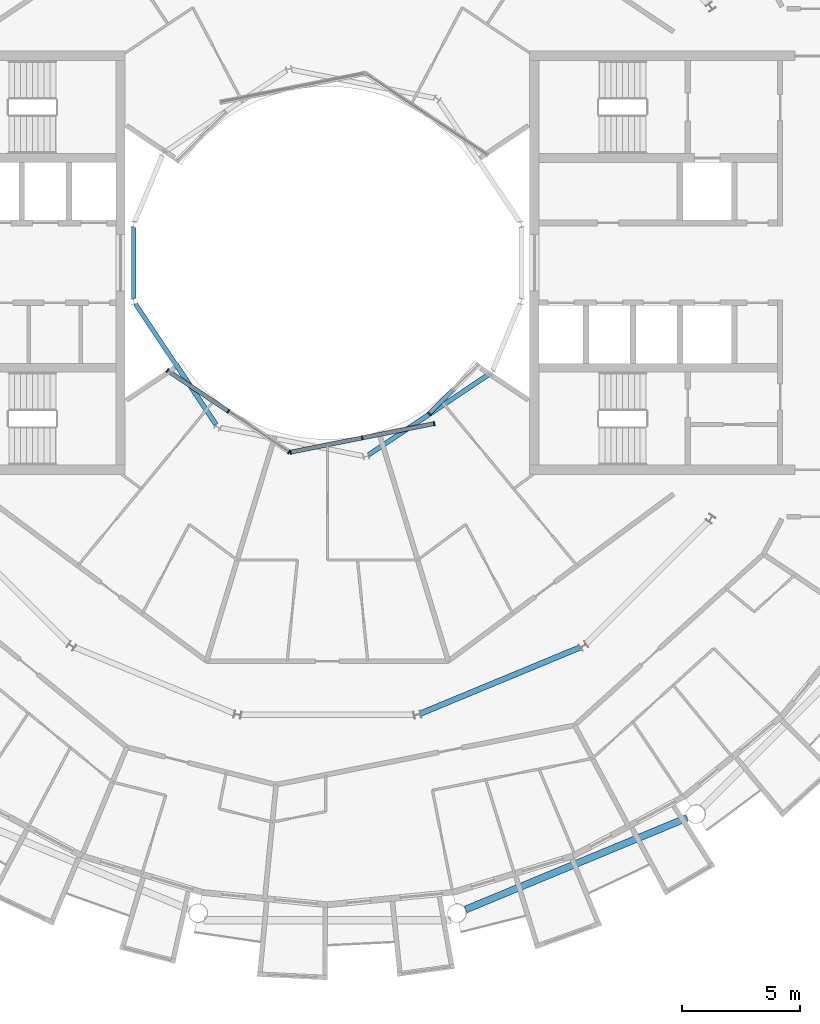
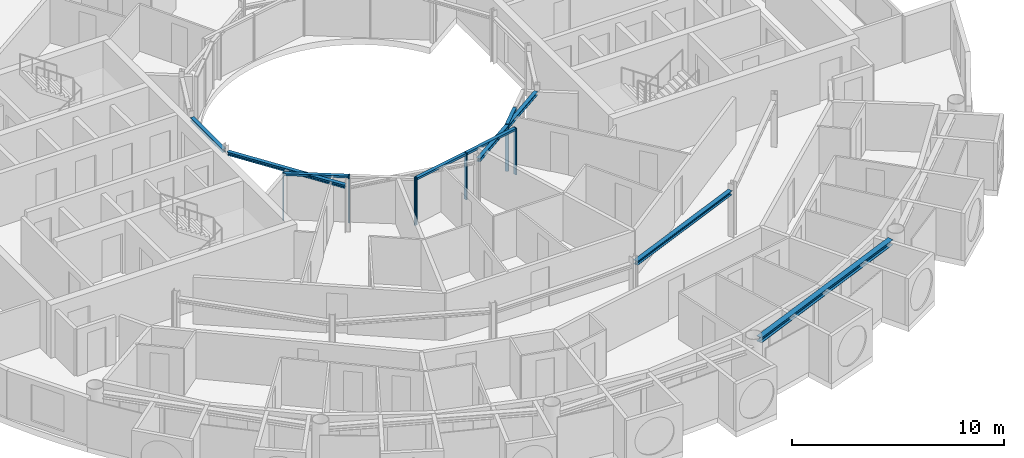
# One storey, part 7 of 28: 11 members, 5 beams, 3 elements without a shape of their own.
"""IFC4 building model written with IfcOpenShell, lengths in metres."""

from ifc_helpers import new_model, si_unit, direction, frame, origin, origin_2d, place, context, subcontext, project, spatial, rectangle, i_section, extrude, material, layer, layer_set, material_profile, profile_set, type_object, element, aggregate, save


model = new_model("IFC4")

# Units and contexts
model_context = context("Model", 3, precision=1e-05, world=origin(), true_north=direction((0.0, 1.0)))
body_context = subcontext(model_context, "Body", "Model", "MODEL_VIEW")
ifc_project = project(units=[si_unit("LENGTHUNIT", "METRE"), si_unit("AREAUNIT", "SQUARE_METRE"), si_unit("VOLUMEUNIT", "CUBIC_METRE"), si_unit("PLANEANGLEUNIT", "RADIAN"), si_unit("MASSUNIT", "GRAM", prefix="KILO")], contexts=[model_context])

# Site, building, storey
site_placement = place(None, origin())
site = spatial("IfcSite", under=ifc_project, at=site_placement, CompositionType="ELEMENT")
building_placement = place(site_placement, origin())
building = spatial("IfcBuilding", under=site, at=building_placement, Name="Maasbend Ring Residences", CompositionType="ELEMENT")
storey_placement = place(building_placement, frame((0.0, 0.0, 227.949951171875)))
storey = spatial("IfcBuildingStorey", under=building, at=storey_placement, Name="L65", CompositionType="ELEMENT", Elevation=227.949951171875)

# Curtain wall, members
ifc_material_1 = material(Name="Aluminium and clear glass", Category="aluminium")
ifc_layer = layer(ifc_material_1, 0.179931640625)
ifc_layer_set = layer_set([ifc_layer], Name="CW-W")
curtain_wall_type = type_object("IfcCurtainWallType", Name="CW-W", PredefinedType="NOTDEFINED", material=ifc_layer_set)
curtain_wall_1_placement = place(storey_placement, origin())
curtain_wall_1 = element("IfcCurtainWall", 1, at=curtain_wall_1_placement, inside=storey, type_object=curtain_wall_type, Name="Well curtain wall S1", PredefinedType="NOTDEFINED")
ifc_material_2 = material(Name="Aluminium 6063-T6", Category="aluminium")
ifc_material_profile_1 = material_profile(ifc_material_2, rectangle(XDim=0.179931640625, YDim=0.06005859375, at=origin_2d()), Name="AL 180x60")
ifc_profile_set_1 = profile_set([ifc_material_profile_1], Name="Aluminium 6063-T6")
member_type_1 = type_object("IfcMemberType", Name="CWM-W", PredefinedType="MULLION", material=ifc_profile_set_1)
member_1_placement = place(storey_placement, frame((-6.805908203125, -4.580810546875, 0.0), z_axis=(0.0, 0.0, 1.0), x_axis=(0.55557023302, 0.831469612303, 0.0)))
member_1 = element("IfcMember", 2, at=member_1_placement, type_object=member_type_1, Name="Mullion well face", PredefinedType="MULLION", context=body_context, shape_type="SweptSolid", body=[
    extrude(rectangle(XDim=0.179931640625, YDim=0.06005859375, at=origin_2d()), origin(), (0.0, 0.0, 1.0), 2.699951171875),
])
member_2_placement = place(storey_placement, frame((-4.216796875, -6.310791015625, 0.0), z_axis=(0.0, 0.0, 1.0), x_axis=(0.55557023302, 0.831469612303, 0.0)))
member_2 = element("IfcMember", 3, at=member_2_placement, type_object=member_type_1, Name="Mullion well face", PredefinedType="MULLION", context=body_context, shape_type="SweptSolid", body=[
    extrude(rectangle(XDim=0.179931640625, YDim=0.06005859375, at=origin_2d()), origin(), (0.0, 0.0, 1.0), 2.699951171875),
])
member_3_placement = place(storey_placement, frame((-1.627685546875, -8.040771484375, 0.0), z_axis=(0.0, 0.0, 1.0), x_axis=(0.55557023302, 0.831469612303, 0.0)))
member_3 = element("IfcMember", 4, at=member_3_placement, type_object=member_type_1, Name="Mullion well face", PredefinedType="MULLION", context=body_context, shape_type="SweptSolid", body=[
    extrude(rectangle(XDim=0.179931640625, YDim=0.06005859375, at=origin_2d()), origin(), (0.0, 0.0, 1.0), 2.699951171875),
])

curtain_wall_2_placement = place(storey_placement, origin())
curtain_wall_2 = element("IfcCurtainWall", 5, at=curtain_wall_2_placement, inside=storey, type_object=curtain_wall_type, Name="Well curtain wall S2", PredefinedType="NOTDEFINED")
member_4_placement = place(storey_placement, frame((-1.5732421875, -8.0517578125, 0.0), z_axis=(0.0, 0.0, 1.0), x_axis=(-0.195090322016, 0.980785280403, 0.0)))
member_4 = element("IfcMember", 6, at=member_4_placement, type_object=member_type_1, Name="Mullion well face", PredefinedType="MULLION", context=body_context, shape_type="SweptSolid", body=[
    extrude(rectangle(XDim=0.179931640625, YDim=0.06005859375, at=origin_2d()), origin(), (0.0, 0.0, 1.0), 2.699951171875),
])
member_5_placement = place(storey_placement, frame((1.480712890625, -7.444091796875, 0.0), z_axis=(0.0, 0.0, 1.0), x_axis=(-0.195090322016, 0.980785280403, 0.0)))
member_5 = element("IfcMember", 7, at=member_5_placement, type_object=member_type_1, Name="Mullion well face", PredefinedType="MULLION", context=body_context, shape_type="SweptSolid", body=[
    extrude(rectangle(XDim=0.179931640625, YDim=0.06005859375, at=origin_2d()), origin(), (0.0, 0.0, 1.0), 2.699951171875),
])
member_6_placement = place(storey_placement, frame((4.53466796875, -6.836669921875, 0.0), z_axis=(0.0, 0.0, 1.0), x_axis=(-0.195090322016, 0.980785280403, 0.0)))
member_6 = element("IfcMember", 8, at=member_6_placement, type_object=member_type_1, Name="Mullion well face", PredefinedType="MULLION", context=body_context, shape_type="SweptSolid", body=[
    extrude(rectangle(XDim=0.179931640625, YDim=0.06005859375, at=origin_2d()), origin(), (0.0, 0.0, 1.0), 2.699951171875),
])

# Curtain wall, member
curtain_wall_3_placement = place(storey_placement, origin())
curtain_wall_3 = element("IfcCurtainWall", 9, at=curtain_wall_3_placement, inside=storey, type_object=curtain_wall_type, Name="Well curtain wall S3", PredefinedType="NOTDEFINED")
member_7_placement = place(storey_placement, frame((4.320556640625, -6.413330078125, 0.0), z_axis=(0.0, 0.0, 1.0), x_axis=(-0.707106781187, 0.707106781187, 0.0)))
member_7 = element("IfcMember", 10, at=member_7_placement, type_object=member_type_1, Name="Mullion well face", PredefinedType="MULLION", context=body_context, shape_type="SweptSolid", body=[
    extrude(rectangle(XDim=0.179931640625, YDim=0.06005859375, at=origin_2d()), origin(), (0.0, 0.0, 1.0), 2.699951171875),
])

# Member
ifc_material_3 = material(Name="Aluminium 6063-T6", Category="aluminium")
ifc_material_profile_2 = material_profile(ifc_material_3, rectangle(XDim=0.179931640625, YDim=0.1201171875, at=origin_2d()), Name="AL 180x120")
ifc_profile_set_2 = profile_set([ifc_material_profile_2], Name="Aluminium 6063-T6")
member_type_2 = type_object("IfcMemberType", Name="CWT-W", PredefinedType="USERDEFINED", material=ifc_profile_set_2)
member_8_placement = place(storey_placement, frame((-6.781005859375, -4.59765625, 2.64013671875), z_axis=(0.831496422459, -0.555530106689, 0.0), x_axis=(0.555530106689, 0.831496422459, 0.0)))
member_8 = element("IfcMember", 11, at=member_8_placement, type_object=member_type_2, Name="Transom well face", ObjectType="TRANSOM", PredefinedType="USERDEFINED", context=body_context, shape_type="SweptSolid", body=[
    extrude(rectangle(XDim=0.179931640625, YDim=0.1201171875, at=origin_2d()), origin(), (0.0, 0.0, 1.0), 3.053955078125),
])

aggregate(curtain_wall_1, [member_1, member_2, member_3, member_8])

member_9_placement = place(storey_placement, frame((-1.5439453125, -8.0458984375, 2.64013671875), z_axis=(0.980776956105, 0.195132166424, 0.0), x_axis=(-0.195132166424, 0.980776956105, 0.0)))
member_9 = element("IfcMember", 12, at=member_9_placement, type_object=member_type_2, Name="Transom well face", ObjectType="TRANSOM", PredefinedType="USERDEFINED", context=body_context, shape_type="SweptSolid", body=[
    extrude(rectangle(XDim=0.179931640625, YDim=0.1201171875, at=origin_2d()), origin(), (0.0, 0.0, 1.0), 3.053955078125),
])

member_10_placement = place(storey_placement, frame((1.51025390625, -7.438232421875, 2.64013671875), z_axis=(0.980789210404, 0.19507056353, 0.0), x_axis=(-0.19507056353, 0.980789210404, 0.0)))
member_10 = element("IfcMember", 13, at=member_10_placement, type_object=member_type_2, Name="Transom well face", ObjectType="TRANSOM", PredefinedType="USERDEFINED", context=body_context, shape_type="SweptSolid", body=[
    extrude(rectangle(XDim=0.179931640625, YDim=0.1201171875, at=origin_2d()), origin(), (0.0, 0.0, 1.0), 3.0537109375),
])

aggregate(curtain_wall_2, [member_4, member_5, member_6, member_9, member_10])

member_11_placement = place(storey_placement, frame((4.341796875, -6.39208984375, 2.64013671875), z_axis=(0.707106781187, 0.707106781187, 0.0), x_axis=(-0.707106781187, 0.707106781187, 0.0)))
member_11 = element("IfcMember", 14, at=member_11_placement, type_object=member_type_2, Name="Transom well face", ObjectType="TRANSOM", PredefinedType="USERDEFINED", context=body_context, shape_type="SweptSolid", body=[
    extrude(rectangle(XDim=0.179931640625, YDim=0.1201171875, at=origin_2d()), origin(), (0.0, 0.0, 1.0), 1.419677734375),
])

aggregate(curtain_wall_3, [member_7, member_11])

# Beams
ifc_material_4 = material(Name="Steel S355J2", Category="steel")
ifc_material_profile_3 = material_profile(ifc_material_4, i_section(OverallWidth=0.239990234375, OverallDepth=0.22998046875, WebThickness=0.007568359375, FlangeThickness=0.011962890625, FilletRadius=0.02099609375, at=origin_2d()), Name="HEA 240")
ifc_profile_set_3 = profile_set([ifc_material_profile_3], Name="Steel S355J2")
beam_type_1 = type_object("IfcBeamType", Name="Corridor ring beam HEA 240", PredefinedType="BEAM", material=ifc_profile_set_3)
beam_1_placement = place(storey_placement, frame((3.965087890625, -19.164794921875, 2.5849609375), z_axis=(0.923875784142, 0.382692481603, 0.0), x_axis=(-0.382692481603, 0.923875784142, 0.0)))
element("IfcBeam", 15, at=beam_1_placement, inside=storey, type_object=beam_type_1, Name="Corridor ring beam", PredefinedType="BEAM", context=body_context, shape_type="SweptSolid", body=[
    extrude(i_section(OverallWidth=0.239990234375, OverallDepth=0.22998046875, WebThickness=0.007568359375, FlangeThickness=0.011962890625, FilletRadius=0.02099609375, at=origin_2d()), origin(), (0.0, 0.0, 1.0), 7.341552734375),
])
ifc_material_5 = material(Name="Steel S355J2", Category="steel")
ifc_material_profile_4 = material_profile(ifc_material_5, i_section(OverallWidth=0.300048828125, OverallDepth=0.300048828125, WebThickness=0.010986328125, FlangeThickness=0.01904296875, FilletRadius=0.027099609375, at=origin_2d()), Name="HEB 300")
ifc_profile_set_4 = profile_set([ifc_material_profile_4], Name="Steel S355J2")
beam_type_2 = type_object("IfcBeamType", Name="Spandrel ring beam HEB 300", PredefinedType="SPANDREL", material=ifc_profile_set_4)
beam_2_placement = place(storey_placement, frame((5.877197265625, -27.50244140625, 2.550048828125), z_axis=(0.923883676188, 0.382673428492, 0.0), x_axis=(-0.382673428492, 0.923883676188, 0.0)))
element("IfcBeam", 16, at=beam_2_placement, inside=storey, type_object=beam_type_2, Name="Spandrel ring beam", PredefinedType="SPANDREL", context=body_context, shape_type="SweptSolid", body=[
    extrude(i_section(OverallWidth=0.300048828125, OverallDepth=0.300048828125, WebThickness=0.010986328125, FlangeThickness=0.01904296875, FilletRadius=0.027099609375, at=origin_2d()), origin(), (0.0, 0.0, 1.0), 10.18994140625),
])
ifc_material_6 = material(Name="Steel S355J2", Category="steel")
ifc_material_profile_5 = material_profile(ifc_material_6, i_section(OverallWidth=0.199951171875, OverallDepth=0.18994140625, WebThickness=0.006591796875, FlangeThickness=0.010009765625, FilletRadius=0.01806640625, at=origin_2d()), Name="HEA 200")
ifc_profile_set_5 = profile_set([ifc_material_profile_5], Name="Steel S355J2")
beam_type_3 = type_object("IfcBeamType", Name="Well edge beam HEA 200", PredefinedType="BEAM", material=ifc_profile_set_5)
beam_3_placement = place(storey_placement, frame((-8.238525390625, 1.521484375, 2.60498046875), z_axis=(0.0, -1.0, 0.0), x_axis=(1.0, 0.0, 0.0)))
element("IfcBeam", 17, at=beam_3_placement, inside=storey, type_object=beam_type_3, Name="Well edge beam", PredefinedType="BEAM", context=body_context, shape_type="SweptSolid", body=[
    extrude(i_section(OverallWidth=0.199951171875, OverallDepth=0.18994140625, WebThickness=0.006591796875, FlangeThickness=0.010009765625, FilletRadius=0.01806640625, at=origin_2d()), origin(), (0.0, 0.0, 1.0), 3.04296875),
])
for number, where, z_axis, x_axis, name in (
    (18, (-8.16943359375, -1.7421875, 2.60498046875), (0.555547729421, -0.831484648286, 0.0), (0.831484648286, 0.555547729421, 0.0), "Well edge beam"),
    (19, (1.7421875, -8.16943359375, 2.60498046875), (0.831484648286, 0.555547729421, 0.0), (-0.555547729421, 0.831484648286, 0.0), "Well edge beam"),
):
    element("IfcBeam", number, at=place(storey_placement, frame(where, z_axis=z_axis, x_axis=x_axis)), inside=storey, type_object=beam_type_3, Name=name, PredefinedType="BEAM", context=body_context, shape_type="SweptSolid", body=[
        extrude(i_section(OverallWidth=0.199951171875, OverallDepth=0.18994140625, WebThickness=0.006591796875, FlangeThickness=0.010009765625, FilletRadius=0.01806640625, at=origin_2d()), origin(), (0.0, 0.0, 1.0), 6.18017578125),
    ])

save(model, "model.ifc")
